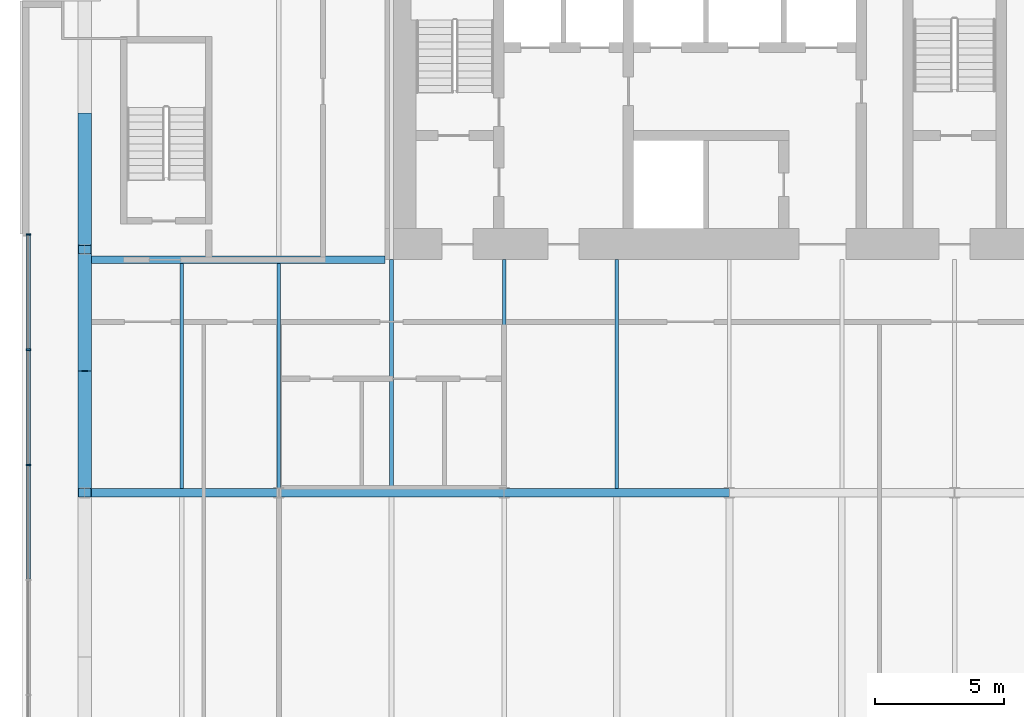
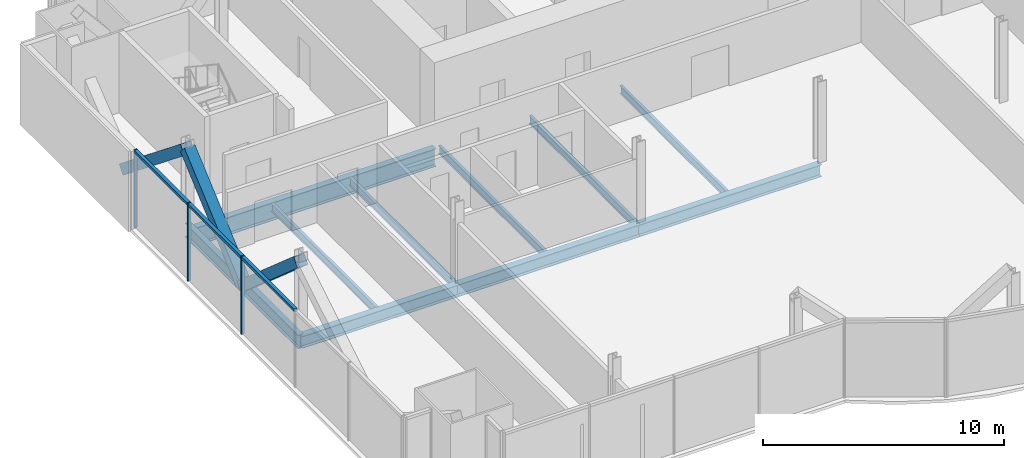
# One storey, part 6 of 21: 10 beams, 9 members, 1 element without a shape of its own.
"""IFC4 building model written with IfcOpenShell, lengths in metres."""

from ifc_helpers import new_model, si_unit, direction, frame, origin, origin_2d, place, context, subcontext, project, spatial, rectangle, hollow_rectangle, i_section, extrude, material, material_profile, profile_set, type_object, element, aggregate, save


model = new_model("IFC4")

# Units and contexts
model_context = context("Model", 3, precision=1e-05, world=origin(), true_north=direction((0.0, 1.0)))
body_context = subcontext(model_context, "Body", "Model", "MODEL_VIEW")
ifc_project = project(units=[si_unit("LENGTHUNIT", "METRE"), si_unit("AREAUNIT", "SQUARE_METRE"), si_unit("VOLUMEUNIT", "CUBIC_METRE"), si_unit("PLANEANGLEUNIT", "RADIAN"), si_unit("MASSUNIT", "GRAM", prefix="KILO")], contexts=[model_context])

# Site, building, storey
site_placement = place(None, origin())
site = spatial("IfcSite", under=ifc_project, at=site_placement, CompositionType="ELEMENT")
building_placement = place(site_placement, origin())
building = spatial("IfcBuilding", under=site, at=building_placement, Name="Bicima Exchange Tower", CompositionType="ELEMENT")
storey_placement = place(building_placement, frame((0.0, 0.0, 114.5)))
storey = spatial("IfcBuildingStorey", under=building, at=storey_placement, Name="L24", CompositionType="ELEMENT", Elevation=114.5)

# Beam
ifc_material_1 = material(Name="Steel ASTM A992 Gr 50", Category="steel")
ifc_material_profile_1 = material_profile(ifc_material_1, i_section(OverallWidth=0.3046875, OverallDepth=0.911865234375, WebThickness=0.015869140625, FlangeThickness=0.02392578125, at=origin_2d()))
ifc_profile_set_1 = profile_set([ifc_material_profile_1], Name="Steel ASTM A992 Gr 50")
beam_type_1 = type_object("IfcBeamType", Name="Core-line girder W36x150", PredefinedType="BEAM", material=ifc_profile_set_1)
beam_1_placement = place(storey_placement, frame((-22.0, -13.0, -0.60595703125), z_axis=(-1.0, 0.0, 0.0), x_axis=(0.0, -1.0, 0.0)))
element("IfcBeam", 1, at=beam_1_placement, inside=storey, type_object=beam_type_1, Name="Core-line girder", PredefinedType="BEAM", context=body_context, shape_type="SweptSolid", body=[
    extrude(i_section(OverallWidth=0.3046875, OverallDepth=0.911865234375, WebThickness=0.015869140625, FlangeThickness=0.02392578125, at=origin_2d()), origin(), (0.0, 0.0, 1.0), 11.60009765625),
])

# Curtain wall, members
ifc_material_2 = material(Name="Anodised bronze aluminium", Category="aluminium")
curtain_wall_type = type_object("IfcCurtainWallType", Name="End face glass wall", PredefinedType="NOTDEFINED", material=ifc_material_2)
curtain_wall_placement = place(storey_placement, origin())
curtain_wall = element("IfcCurtainWall", 2, at=curtain_wall_placement, inside=storey, type_object=curtain_wall_type, Name="End face glass wall L24 run 2", PredefinedType="NOTDEFINED")
ifc_material_profile_2 = material_profile(ifc_material_2, rectangle(XDim=0.159912109375, YDim=0.06005859375, at=origin_2d()))
ifc_profile_set_2 = profile_set([ifc_material_profile_2], Name="Anodised bronze aluminium")
member_type_1 = type_object("IfcMemberType", Name="End face glass wall mullion 60 x 160", PredefinedType="MULLION", material=ifc_profile_set_2)
member_1_placement = place(storey_placement, frame((-35.77001953125, -12.030029296875, 0.0), z_axis=(0.0, 0.0, 1.0), x_axis=(1.0, 0.0, 0.0)))
member_1 = element("IfcMember", 3, at=member_1_placement, type_object=member_type_1, Name="End face glass wall mullion 1", PredefinedType="MULLION", context=body_context, shape_type="SweptSolid", body=[
    extrude(rectangle(XDim=0.159912109375, YDim=0.06005859375, at=origin_2d()), origin(), (0.0, 0.0, 1.0), 3.949951171875),
])
member_2_placement = place(storey_placement, frame((-35.77001953125, -16.4775390625, 0.0), z_axis=(0.0, 0.0, 1.0), x_axis=(1.0, 0.0, 0.0)))
member_2 = element("IfcMember", 4, at=member_2_placement, type_object=member_type_1, Name="End face glass wall mullion 2", PredefinedType="MULLION", context=body_context, shape_type="SweptSolid", body=[
    extrude(rectangle(XDim=0.159912109375, YDim=0.06005859375, at=origin_2d()), origin(), (0.0, 0.0, 1.0), 3.949951171875),
])
member_3_placement = place(storey_placement, frame((-35.77001953125, -20.92529296875, 0.0), z_axis=(0.0, 0.0, 1.0), x_axis=(1.0, 0.0, 0.0)))
member_3 = element("IfcMember", 5, at=member_3_placement, type_object=member_type_1, Name="End face glass wall mullion 3", PredefinedType="MULLION", context=body_context, shape_type="SweptSolid", body=[
    extrude(rectangle(XDim=0.159912109375, YDim=0.06005859375, at=origin_2d()), origin(), (0.0, 0.0, 1.0), 3.949951171875),
])
ifc_material_profile_3 = material_profile(ifc_material_2, rectangle(XDim=0.159912109375, YDim=0.139892578125, at=origin_2d()))
ifc_profile_set_3 = profile_set([ifc_material_profile_3], Name="Anodised bronze aluminium")
member_type_2 = type_object("IfcMemberType", Name="End face glass wall transom 140 x 160", PredefinedType="USERDEFINED", material=ifc_profile_set_3)
member_4_placement = place(storey_placement, frame((-35.77001953125, -12.06005859375, 3.8798828125), z_axis=(0.0, -1.0, 0.0), x_axis=(1.0, 0.0, 0.0)))
member_4 = element("IfcMember", 6, at=member_4_placement, type_object=member_type_2, Name="End face glass wall transom 1.1", ObjectType="TRANSOM", PredefinedType="USERDEFINED", context=body_context, shape_type="SweptSolid", body=[
    extrude(rectangle(XDim=0.159912109375, YDim=0.139892578125, at=origin_2d()), origin(), (0.0, 0.0, 1.0), 4.387451171875),
])
member_5_placement = place(storey_placement, frame((-35.77001953125, -16.507568359375, 3.8798828125), z_axis=(0.0, -1.0, 0.0), x_axis=(1.0, 0.0, 0.0)))
member_5 = element("IfcMember", 7, at=member_5_placement, type_object=member_type_2, Name="End face glass wall transom 2.1", ObjectType="TRANSOM", PredefinedType="USERDEFINED", context=body_context, shape_type="SweptSolid", body=[
    extrude(rectangle(XDim=0.159912109375, YDim=0.139892578125, at=origin_2d()), origin(), (0.0, 0.0, 1.0), 4.3876953125),
])
member_6_placement = place(storey_placement, frame((-35.77001953125, -20.955078125, 3.8798828125), z_axis=(0.0, -1.0, 0.0), x_axis=(1.0, 0.0, 0.0)))
member_6 = element("IfcMember", 8, at=member_6_placement, type_object=member_type_2, Name="End face glass wall transom 3.1", ObjectType="TRANSOM", PredefinedType="USERDEFINED", context=body_context, shape_type="SweptSolid", body=[
    extrude(rectangle(XDim=0.159912109375, YDim=0.139892578125, at=origin_2d()), origin(), (0.0, 0.0, 1.0), 4.3876953125),
])
aggregate(curtain_wall, [member_1, member_2, member_3, member_4, member_5, member_6])

# Beams
ifc_material_profile_4 = material_profile(ifc_material_1, i_section(OverallWidth=0.256591796875, OverallDepth=0.693359375, WebThickness=0.014404296875, FlangeThickness=0.023681640625, at=origin_2d()))
ifc_profile_set_4 = profile_set([ifc_material_profile_4], Name="Steel ASTM A992 Gr 50")
beam_type_2 = type_object("IfcBeamType", Name="End girder W27x114", PredefinedType="BEAM", material=ifc_profile_set_4)
beam_2_placement = place(storey_placement, frame((-33.60009765625, -12.60009765625, -0.49658203125), z_axis=(0.0, -1.0, 0.0), x_axis=(1.0, 0.0, 0.0)))
element("IfcBeam", 9, at=beam_2_placement, inside=storey, type_object=beam_type_2, Name="End girder", PredefinedType="BEAM", context=body_context, shape_type="SweptSolid", body=[
    extrude(i_section(OverallWidth=0.256591796875, OverallDepth=0.693359375, WebThickness=0.014404296875, FlangeThickness=0.023681640625, at=origin_2d()), origin(), (0.0, 0.0, 1.0), 9.39990234375),
])
ifc_material_profile_5 = material_profile(ifc_material_1, i_section(OverallWidth=0.140380859375, OverallDepth=0.40380859375, WebThickness=0.007080078125, FlangeThickness=0.01123046875, at=origin_2d()))
ifc_profile_set_5 = profile_set([ifc_material_profile_5], Name="Steel ASTM A992 Gr 50")
beam_type_3 = type_object("IfcBeamType", Name="Floor beam W16x31", PredefinedType="JOIST", material=ifc_profile_set_5)
for number, where, z_axis, x_axis, name in (
    (10, (-29.85009765625, -13.15234375, -0.351806640625), (0.0, -1.0, 0.0), (1.0, 0.0, 0.0), "Floor beam"),
    (11, (-26.10009765625, -13.15234375, -0.351806640625), (0.0, -1.0, 0.0), (1.0, 0.0, 0.0), "Floor beam"),
):
    element("IfcBeam", number, at=place(storey_placement, frame(where, z_axis=z_axis, x_axis=x_axis)), inside=storey, type_object=beam_type_3, Name=name, PredefinedType="JOIST", context=body_context, shape_type="SweptSolid", body=[
        extrude(i_section(OverallWidth=0.140380859375, OverallDepth=0.40380859375, WebThickness=0.007080078125, FlangeThickness=0.01123046875, at=origin_2d()), origin(), (0.0, 0.0, 1.0), 8.68505859375),
    ])
for number, where, z_axis, x_axis, name in (
    (12, (-21.75, -13.0, -0.351806640625), (0.0, -1.0, 0.0), (1.0, 0.0, 0.0), "Floor beam"),
    (13, (-17.39990234375, -13.0, -0.351806640625), (0.0, -1.0, 0.0), (1.0, 0.0, 0.0), "Floor beam"),
    (14, (-13.050048828125, -13.0, -0.351806640625), (0.0, -1.0, 0.0), (1.0, 0.0, 0.0), "Floor beam"),
):
    element("IfcBeam", number, at=place(storey_placement, frame(where, z_axis=z_axis, x_axis=x_axis)), inside=storey, type_object=beam_type_3, Name=name, PredefinedType="JOIST", context=body_context, shape_type="SweptSolid", body=[
        extrude(i_section(OverallWidth=0.140380859375, OverallDepth=0.40380859375, WebThickness=0.007080078125, FlangeThickness=0.01123046875, at=origin_2d()), origin(), (0.0, 0.0, 1.0), 8.83740234375),
    ])

# Members
ifc_material_3 = material(Name="Steel ASTM A572 Gr 50", Category="steel")
ifc_material_profile_6 = material_profile(ifc_material_3, hollow_rectangle(XDim=0.508056640625, YDim=0.508056640625, WallThickness=0.0146484375, at=origin_2d()))
ifc_profile_set_6 = profile_set([ifc_material_profile_6], Name="Steel ASTM A572 Gr 50")
member_type_3 = type_object("IfcMemberType", Name="Mega brace HSS20x20x5/8", PredefinedType="BRACE", material=ifc_profile_set_6)
member_7_placement = place(storey_placement, frame((-33.60009765625, -7.5, -0.49658203125), z_axis=(0.0, -0.779392460608, 0.626536026376), x_axis=(1.0, 0.0, 0.0)))
element("IfcMember", 15, at=member_7_placement, inside=storey, type_object=member_type_3, Name="Mega brace west end", PredefinedType="BRACE", context=body_context, shape_type="SweptSolid", body=[
    extrude(hollow_rectangle(XDim=0.508056640625, YDim=0.508056640625, WallThickness=0.0146484375, at=origin_2d()), origin(), (0.0, 0.0, 1.0), 6.543701171875),
])
for number, where, z_axis, x_axis, name in (
    (16, (-33.60009765625, -17.300048828125, -0.49658203125), (0.0, -0.753577308711, 0.657359292774), (1.0, 0.0, 0.0), "Mega brace west end"),
    (17, (-33.60009765625, -17.300048828125, -0.49658203125), (0.0, 0.753577308711, 0.657359292774), (-1.0, 0.0, 0.0), "Mega brace west end"),
):
    element("IfcMember", number, at=place(storey_placement, frame(where, z_axis=z_axis, x_axis=x_axis)), inside=storey, type_object=member_type_3, Name=name, PredefinedType="BRACE", context=body_context, shape_type="SweptSolid", body=[
        extrude(hollow_rectangle(XDim=0.508056640625, YDim=0.508056640625, WallThickness=0.0146484375, at=origin_2d()), origin(), (0.0, 0.0, 1.0), 6.23681640625),
    ])

# Beams
ifc_material_profile_7 = material_profile(ifc_material_1, i_section(OverallWidth=0.3251953125, OverallDepth=0.612060546875, WebThickness=0.0126953125, FlangeThickness=0.01904296875, at=origin_2d()))
ifc_profile_set_7 = profile_set([ifc_material_profile_7], Name="Steel ASTM A992 Gr 50")
beam_type_4 = type_object("IfcBeamType", Name="Row girder W24x104", PredefinedType="BEAM", material=ifc_profile_set_7)
beam_3_placement = place(storey_placement, frame((-33.60009765625, -22.0, -0.4560546875), z_axis=(1.0, 0.0, 0.0), x_axis=(0.0, 1.0, 0.0)))
element("IfcBeam", 18, at=beam_3_placement, inside=storey, type_object=beam_type_4, Name="Row girder", PredefinedType="BEAM", context=body_context, shape_type="SweptSolid", body=[
    extrude(i_section(OverallWidth=0.3251953125, OverallDepth=0.612060546875, WebThickness=0.0126953125, FlangeThickness=0.01904296875, at=origin_2d()), origin(), (0.0, 0.0, 1.0), 7.5),
])
beam_4_placement = place(storey_placement, frame((-26.10009765625, -22.0, -0.4560546875), z_axis=(1.0, 0.0, 0.0), x_axis=(0.0, 1.0, 0.0)))
element("IfcBeam", 19, at=beam_4_placement, inside=storey, type_object=beam_type_4, Name="Row girder", PredefinedType="BEAM", context=body_context, shape_type="SweptSolid", body=[
    extrude(i_section(OverallWidth=0.3251953125, OverallDepth=0.612060546875, WebThickness=0.0126953125, FlangeThickness=0.01904296875, at=origin_2d()), origin(), (0.0, 0.0, 1.0), 8.7001953125),
])
beam_5_placement = place(storey_placement, frame((-17.39990234375, -22.0, -0.4560546875), z_axis=(1.0, 0.0, 0.0), x_axis=(0.0, 1.0, 0.0)))
element("IfcBeam", 20, at=beam_5_placement, inside=storey, type_object=beam_type_4, Name="Row girder", PredefinedType="BEAM", context=body_context, shape_type="SweptSolid", body=[
    extrude(i_section(OverallWidth=0.3251953125, OverallDepth=0.612060546875, WebThickness=0.0126953125, FlangeThickness=0.01904296875, at=origin_2d()), origin(), (0.0, 0.0, 1.0), 8.699951171875),
])

save(model, "model.ifc")
